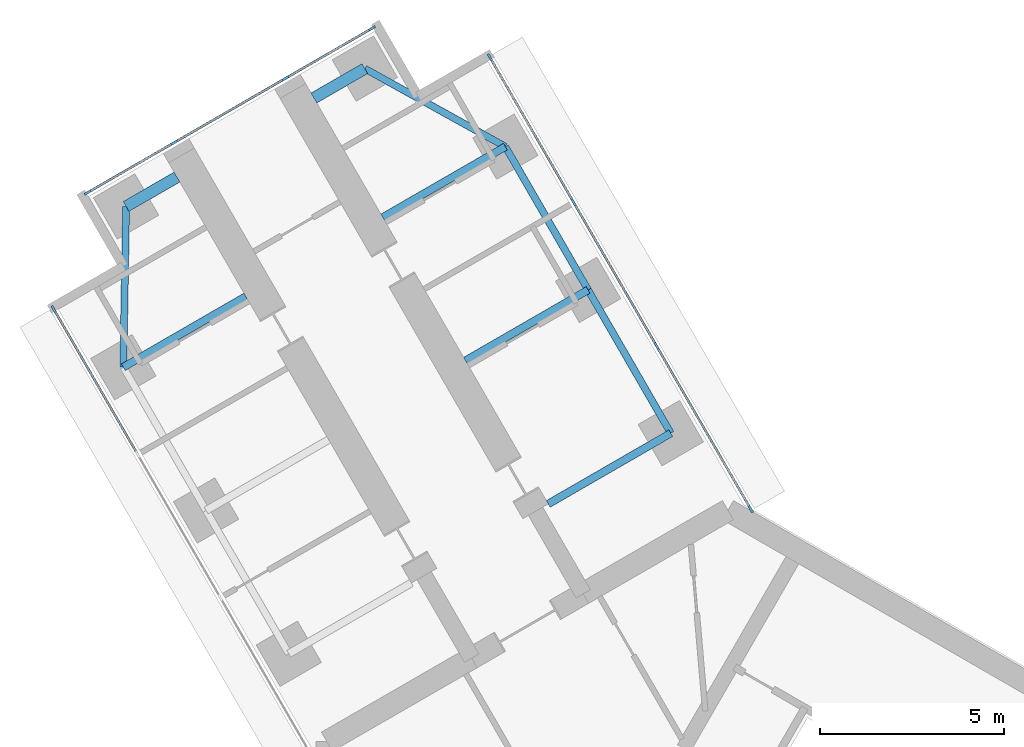
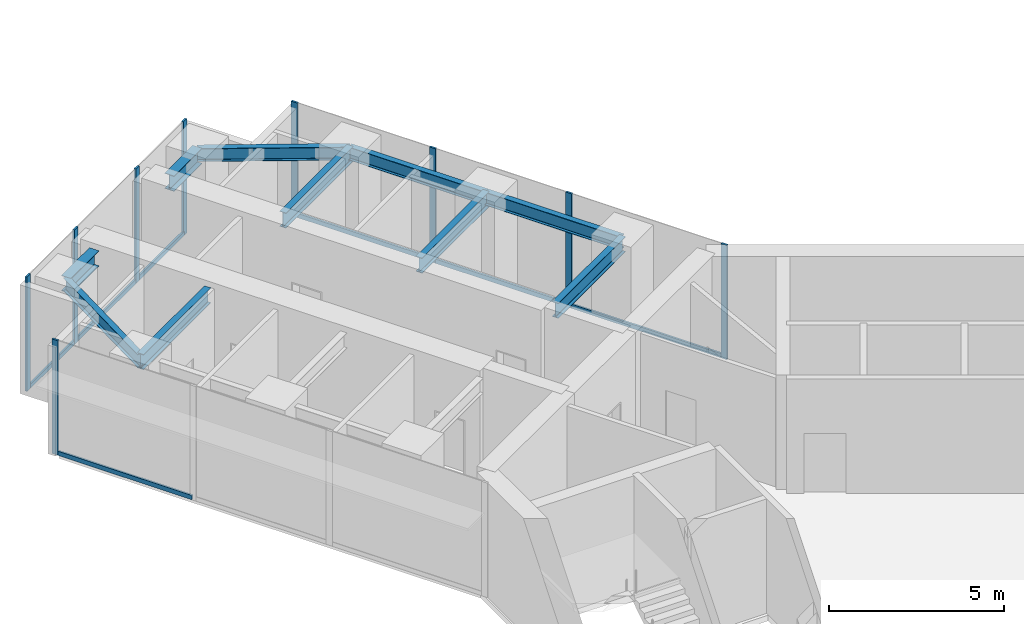
# One storey, part 6 of 22: 16 members, 10 beams, 3 elements without a shape of their own.
"""IFC4 building model written with IfcOpenShell, lengths in metres."""

import ifcopenshell
import ifcopenshell.guid

model = None  # the IFC model being written
_history = None  # IfcOwnerHistory: only IFC2X3 demands one
_inside = {}  # id of a spatial element -> (the spatial element, [elements in it])
_under = {}  # id of a project, library or spatial element -> (it, [spatial elements below it])
_declared = {}  # id of a project -> (the project, [libraries it declares])
_typed = {}  # id of a type object -> (the type object, [elements of that type])
_made_of = {}  # id of a material, layer set ... -> (it, [elements and type objects made of it])


def new_model(schema):
    """Start an empty IFC model of exactly this schema.

    Asked for "IFC4X3", IfcOpenShell would pick the latest addendum, in which some entities
    have other attributes; the version numbers below select the first issue.
    IFC2X3 requires an IfcOwnerHistory on every rooted entity: one is made here for all.
    """
    global model, _history
    if schema == "IFC4X3":
        model = ifcopenshell.file(schema_version=(4, 3, 0, 0))
    else:
        model = ifcopenshell.file(schema=schema)
    _inside.clear()
    _under.clear()
    _declared.clear()
    _typed.clear()
    _made_of.clear()
    _history = None
    if model.schema == "IFC2X3":
        org = make("IfcOrganization", Name="unknown")
        user = make(
            "IfcPersonAndOrganization",
            ThePerson=make("IfcPerson", FamilyName="unknown"),
            TheOrganization=org,
        )
        app = make(
            "IfcApplication",
            ApplicationDeveloper=org,
            Version="unknown",
            ApplicationFullName="unknown",
            ApplicationIdentifier="unknown",
        )
        _history = make(
            "IfcOwnerHistory",
            OwningUser=user,
            OwningApplication=app,
            ChangeAction="ADDED",
            CreationDate=0,
        )
    return model


def make(cls, **values):
    """One entity of the class cls with the attributes given. An attribute that is None is left unset."""
    return model.create_entity(
        cls, **{name: value for name, value in values.items() if value is not None}
    )


def rooted(cls, **values):
    """An entity with a GlobalId (a new one), such as an element, a storey or a relation."""
    return make(cls, GlobalId=ifcopenshell.guid.new(), OwnerHistory=_history, **values)


def si_unit(unit_type, name, prefix=None):
    """IfcSIUnit, for example si_unit("LENGTHUNIT", "METRE", prefix="MILLI")."""
    return make("IfcSIUnit", UnitType=unit_type, Prefix=prefix, Name=name)


def assignment(units):
    """IfcUnitAssignment: the units of a project."""
    return None if units is None else make("IfcUnitAssignment", Units=units)


def point(xyz):
    """IfcCartesianPoint."""
    return None if xyz is None else make("IfcCartesianPoint", Coordinates=xyz)


def direction(xyz):
    """IfcDirection."""
    return None if xyz is None else make("IfcDirection", DirectionRatios=xyz)


def frame(location, z_axis=None, x_axis=None):
    """IfcAxis2Placement3D, a coordinate frame: its origin and axes. An axis left out is left unset."""
    return make(
        "IfcAxis2Placement3D",
        Location=point(location),
        Axis=direction(z_axis),
        RefDirection=direction(x_axis),
    )


def frame_2d(location, x_axis=None):
    """IfcAxis2Placement2D, a coordinate frame in the plane: its origin and x axis."""
    return make(
        "IfcAxis2Placement2D", Location=point(location), RefDirection=direction(x_axis)
    )


def origin():
    """The frame at (0, 0, 0) with its axes left unset."""
    return frame((0.0, 0.0, 0.0))


def origin_2d():
    """The frame at (0, 0) in the plane with its x axis left unset."""
    return frame_2d((0.0, 0.0))


def place(relative_to, where):
    """IfcLocalPlacement: puts the frame where relative to a parent placement (None: the world)."""
    return make(
        "IfcLocalPlacement", PlacementRelTo=relative_to, RelativePlacement=where
    )


def context(
    kind, dimensions, precision=None, world=None, true_north=None, identifier=None
):
    """IfcGeometricRepresentationContext, for example the 3D "Model" context."""
    return make(
        "IfcGeometricRepresentationContext",
        ContextIdentifier=identifier,
        ContextType=kind,
        CoordinateSpaceDimension=dimensions,
        Precision=precision,
        WorldCoordinateSystem=world,
        TrueNorth=true_north,
    )


def subcontext(parent, identifier, kind, view, scale=None):
    """IfcGeometricRepresentationSubContext, for example "Body" below "Model"."""
    return make(
        "IfcGeometricRepresentationSubContext",
        ContextIdentifier=identifier,
        ContextType=kind,
        ParentContext=parent,
        TargetScale=scale,
        TargetView=view,
    )


def project(units=None, contexts=None):
    """IfcProject with its units and contexts."""
    return rooted(
        "IfcProject",
        Name="project",
        RepresentationContexts=contexts,
        UnitsInContext=assignment(units),
    )


def spatial(cls, under=None, at=None, **own):
    """A site, building, storey or space (cls), placed at a placement, below another one or the project."""
    s = rooted(cls, ObjectPlacement=at, **own)
    if under is not None:
        _under.setdefault(under.id(), (under, []))[1].append(s)
    return s


def profile(cls, at=None, kind="AREA", **sizes):
    """A parametric profile (cls). Its sizes go by their IFC names, for example OverallWidth=200.0."""
    return make(cls, ProfileType=kind, Position=at, **sizes)


def rectangle(**sizes):
    """IfcRectangleProfileDef."""
    return profile("IfcRectangleProfileDef", **sizes)


def i_section(**sizes):
    """IfcIShapeProfileDef."""
    return profile("IfcIShapeProfileDef", **sizes)


def extrude(swept, where, along, depth):
    """IfcExtrudedAreaSolid: the profile swept, set in the frame where, extruded along a direction by depth."""
    return make(
        "IfcExtrudedAreaSolid",
        SweptArea=swept,
        Position=where,
        ExtrudedDirection=direction(along),
        Depth=depth,
    )


def shape(context_of_items, identifier, shape_type, items):
    """IfcShapeRepresentation: the items that make up one representation, for example the "Body"."""
    return make(
        "IfcShapeRepresentation",
        ContextOfItems=context_of_items,
        RepresentationIdentifier=identifier,
        RepresentationType=shape_type,
        Items=items,
    )


def material(Name=None, Category=None):
    """IfcMaterial."""
    return make("IfcMaterial", Name=Name, Category=Category)


def material_profile(
    of_material, cross_section, Name=None, Category=None, Priority=None
):
    """IfcMaterialProfile: a cross section and its material."""
    return make(
        "IfcMaterialProfile",
        Name=Name,
        Material=of_material,
        Profile=cross_section,
        Priority=Priority,
        Category=Category,
    )


def profile_set(profiles, Name=None, composite=None):
    """IfcMaterialProfileSet."""
    return make(
        "IfcMaterialProfileSet",
        Name=Name,
        MaterialProfiles=profiles,
        CompositeProfile=composite,
    )


def made_of(thing, what):
    """Note that an element or type object is made of a material, layer set ...; save() writes the relation."""
    if what is not None:
        _made_of.setdefault(what.id(), (what, []))[1].append(thing)
    return thing


def type_object(cls, material=None, **own):
    """A type object (cls), such as IfcWallType, which elements share."""
    return made_of(rooted(cls, **own), material)


def element(
    cls,
    number,
    at=None,
    inside=None,
    cuts=None,
    type_object=None,
    material=None,
    context=None,
    identifier="Body",
    shape_type=None,
    held_by="IfcProductDefinitionShape",
    body=None,
    shapes=None,
    **own,
):
    """One element of the class cls, such as IfcWall. Its Tag is "e" and its number.

    at: its placement. inside: the storey or other place that contains it. cuts: it is an
    opening in that element (IfcRelVoidsElement). A single representation is given by context,
    identifier, shape_type and body (its items); several are given by shapes. held_by: the class
    of the entity that holds the representations. save() writes the other relations.
    """
    e = rooted(cls, Tag="e%d" % number, ObjectPlacement=at, **own)
    if body is not None:
        shapes = [shape(context, identifier, shape_type, body)]
    if shapes is not None:
        e.Representation = make(held_by, Representations=shapes)
    if inside is not None:
        _inside.setdefault(inside.id(), (inside, []))[1].append(e)
    if cuts is not None:
        rooted(
            "IfcRelVoidsElement", RelatingBuildingElement=cuts, RelatedOpeningElement=e
        )
    if type_object is not None:
        _typed.setdefault(type_object.id(), (type_object, []))[1].append(e)
    return made_of(e, material)


def aggregate(whole, parts):
    """IfcRelAggregates: a whole, such as a stair, and the parts it consists of."""
    return rooted("IfcRelAggregates", RelatingObject=whole, RelatedObjects=parts)


def save(model, path):
    """Write the relations noted so far, then the file.

    IfcRelAggregates (storeys below a building ...), IfcRelContainedInSpatialStructure (elements
    in a storey), IfcRelDefinesByType, IfcRelAssociatesMaterial and IfcRelDeclares: one each for
    every whole, place, type object, material and project.
    """
    for whole, parts in _under.values():
        aggregate(whole, parts)
    for where, things in _inside.values():
        rooted(
            "IfcRelContainedInSpatialStructure",
            RelatedElements=things,
            RelatingStructure=where,
        )
    for kind, things in _typed.values():
        rooted("IfcRelDefinesByType", RelatedObjects=things, RelatingType=kind)
    for what, things in _made_of.values():
        rooted("IfcRelAssociatesMaterial", RelatedObjects=things, RelatingMaterial=what)
    for by, libraries in _declared.values():
        rooted("IfcRelDeclares", RelatingContext=by, RelatedDefinitions=libraries)
    model.write(path)


model = new_model("IFC4")

# Units and contexts
model_context = context("Model", 3, precision=1e-05, world=origin(), true_north=direction((0.0, 1.0)))
body_context = subcontext(model_context, "Body", "Model", "MODEL_VIEW")
ifc_project = project(units=[si_unit("LENGTHUNIT", "METRE"), si_unit("AREAUNIT", "SQUARE_METRE"), si_unit("VOLUMEUNIT", "CUBIC_METRE"), si_unit("PLANEANGLEUNIT", "RADIAN"), si_unit("MASSUNIT", "GRAM", prefix="KILO")], contexts=[model_context])

# Site, building, storey
site_placement = place(None, origin())
site = spatial("IfcSite", under=ifc_project, at=site_placement, CompositionType="ELEMENT")
building_placement = place(site_placement, origin())
building = spatial("IfcBuilding", under=site, at=building_placement, Name="Upepo Twin Towers", CompositionType="ELEMENT")
storey_placement = place(building_placement, frame((0.0, 0.0, 133.5)))
storey = spatial("IfcBuildingStorey", under=building, at=storey_placement, Name="L32", CompositionType="ELEMENT", Elevation=133.5)

# Beams
ifc_material_1 = material(Name="Steel S355", Category="steel")
ifc_material_profile_1 = material_profile(ifc_material_1, i_section(OverallWidth=0.1904296875, OverallDepth=0.45703125, WebThickness=0.009033203125, FlangeThickness=0.014404296875, FilletRadius=0.01025390625, at=origin_2d()), Name="UB 457x191x74")
ifc_profile_set_1 = profile_set([ifc_material_profile_1], Name="Steel S355")
beam_type_1 = type_object("IfcBeamType", Name="Beam UB 457x191x74", PredefinedType="BEAM", material=ifc_profile_set_1)
beam_1_placement = place(storey_placement, frame((-16.446044921875, 16.485595703125, 3.571533203125), z_axis=(0.016803880528, 0.999858804832, 0.0), x_axis=(-0.999858804832, 0.016803880528, 0.0)))
element("IfcBeam", 1, at=beam_1_placement, inside=storey, type_object=beam_type_1, Name="T1 nose edge beam BL", PredefinedType="BEAM", context=body_context, shape_type="SweptSolid", body=[
    extrude(i_section(OverallWidth=0.1904296875, OverallDepth=0.45703125, WebThickness=0.009033203125, FlangeThickness=0.014404296875, FilletRadius=0.01025390625, at=origin_2d()), origin(), (0.0, 0.0, 1.0), 4.373291015625),
])
beam_2_placement = place(storey_placement, frame((-1.553955078125, 14.69140625, 3.571533203125), z_axis=(-0.500013631625, 0.866017533419, 0.0), x_axis=(-0.866017533419, -0.500013631625, 0.0)))
element("IfcBeam", 2, at=beam_2_placement, inside=storey, type_object=beam_type_1, Name="T1 edge beam BR 13.5-18.0", PredefinedType="BEAM", context=body_context, shape_type="SweptSolid", body=[
    extrude(i_section(OverallWidth=0.1904296875, OverallDepth=0.45703125, WebThickness=0.009033203125, FlangeThickness=0.014404296875, FilletRadius=0.01025390625, at=origin_2d()), origin(), (0.0, 0.0, 1.0), 4.499755859375),
])
beam_3_placement = place(storey_placement, frame((-3.803955078125, 18.58837890625, 3.571533203125), z_axis=(-0.499990139034, 0.866031096941, 0.0), x_axis=(-0.866031096941, -0.499990139034, 0.0)))
element("IfcBeam", 3, at=beam_3_placement, inside=storey, type_object=beam_type_1, Name="T1 edge beam BR 18.0-22.5", PredefinedType="BEAM", context=body_context, shape_type="SweptSolid", body=[
    extrude(i_section(OverallWidth=0.1904296875, OverallDepth=0.45703125, WebThickness=0.009033203125, FlangeThickness=0.014404296875, FilletRadius=0.01025390625, at=origin_2d()), origin(), (0.0, 0.0, 1.0), 4.5),
])
beam_4_placement = place(storey_placement, frame((-6.053955078125, 22.485595703125, 3.571533203125), z_axis=(-0.874312600038, 0.485363242752, 0.0), x_axis=(-0.485363242752, -0.874312600038, 0.0)))
element("IfcBeam", 4, at=beam_4_placement, inside=storey, type_object=beam_type_1, Name="T1 nose edge beam BR", PredefinedType="BEAM", context=body_context, shape_type="SweptSolid", body=[
    extrude(i_section(OverallWidth=0.1904296875, OverallDepth=0.45703125, WebThickness=0.009033203125, FlangeThickness=0.014404296875, FilletRadius=0.01025390625, at=origin_2d()), origin(), (0.0, 0.0, 1.0), 4.373046875),
])
ifc_material_2 = material(Name="Steel S355", Category="steel")
ifc_material_profile_2 = material_profile(ifc_material_2, i_section(OverallWidth=0.209228515625, OverallDepth=0.533203125, WebThickness=0.010009765625, FlangeThickness=0.015625, FilletRadius=0.0126953125, at=origin_2d()), Name="UB 533x210x92")
ifc_profile_set_2 = profile_set([ifc_material_profile_2], Name="Steel S355")
beam_type_2 = type_object("IfcBeamType", Name="Beam UB 533x210x92", PredefinedType="BEAM", material=ifc_profile_set_2)
for number, where, z_axis, x_axis, name in (
    (5, (-16.446044921875, 16.485595703125, 3.533447265625), (0.866006051527, 0.500033517596, 0.0), (-0.500033517596, 0.866006051527, 0.0), "T1 girder BL at 22.5"),
    (6, (-1.553955078125, 14.69140625, 3.533447265625), (-0.866006051527, -0.500033517596, 0.0), (0.500033517596, -0.866006051527, 0.0), "T1 girder BR at 13.5"),
):
    element("IfcBeam", number, at=place(storey_placement, frame(where, z_axis=z_axis, x_axis=x_axis)), inside=storey, type_object=beam_type_2, Name=name, PredefinedType="BEAM", context=body_context, shape_type="SweptSolid", body=[
        extrude(i_section(OverallWidth=0.209228515625, OverallDepth=0.533203125, WebThickness=0.010009765625, FlangeThickness=0.015625, FilletRadius=0.0126953125, at=origin_2d()), origin(), (0.0, 0.0, 1.0), 3.849853515625),
    ])
beam_5_placement = place(storey_placement, frame((-3.803955078125, 18.58837890625, 3.533447265625), z_axis=(-0.866033512162, -0.499985955615, 0.0), x_axis=(0.499985955615, -0.866033512162, 0.0)))
element("IfcBeam", 7, at=beam_5_placement, inside=storey, type_object=beam_type_2, Name="T1 girder BR at 18.0", PredefinedType="BEAM", context=body_context, shape_type="SweptSolid", body=[
    extrude(i_section(OverallWidth=0.209228515625, OverallDepth=0.533203125, WebThickness=0.010009765625, FlangeThickness=0.015625, FilletRadius=0.0126953125, at=origin_2d()), origin(), (0.0, 0.0, 1.0), 3.849609375),
])
beam_6_placement = place(storey_placement, frame((-6.053955078125, 22.485595703125, 3.533447265625), z_axis=(-0.866006051527, -0.500033517596, 0.0), x_axis=(0.500033517596, -0.866006051527, 0.0)))
element("IfcBeam", 8, at=beam_6_placement, inside=storey, type_object=beam_type_2, Name="T1 girder BR at 22.5", PredefinedType="BEAM", context=body_context, shape_type="SweptSolid", body=[
    extrude(i_section(OverallWidth=0.209228515625, OverallDepth=0.533203125, WebThickness=0.010009765625, FlangeThickness=0.015625, FilletRadius=0.0126953125, at=origin_2d()), origin(), (0.0, 0.0, 1.0), 3.849853515625),
])
ifc_material_3 = material(Name="Steel S355", Category="steel")
ifc_material_profile_3 = material_profile(ifc_material_3, i_section(OverallWidth=0.31201171875, OverallDepth=0.54345703125, WebThickness=0.0126953125, FlangeThickness=0.020263671875, FilletRadius=0.0126953125, at=origin_2d()), Name="UB 533x312x150")
ifc_profile_set_3 = profile_set([ifc_material_profile_3], Name="Steel S355")
beam_type_3 = type_object("IfcBeamType", Name="Beam UB 533x312x150", PredefinedType="BEAM", material=ifc_profile_set_3)
for number, where, z_axis, x_axis, name in (
    (9, (-16.37255859375, 20.858154296875, 3.5283203125), (0.865989903783, 0.500061482766, 0.0), (-0.500061482766, 0.865989903783, 0.0), "T1 nose beam BL"),
    (10, (-9.87744140625, 24.608154296875, 3.5283203125), (-0.865989903783, -0.500061482766, 0.0), (0.500061482766, -0.865989903783, 0.0), "T1 nose beam BR"),
):
    element("IfcBeam", number, at=place(storey_placement, frame(where, z_axis=z_axis, x_axis=x_axis)), inside=storey, type_object=beam_type_3, Name=name, PredefinedType="BEAM", context=body_context, shape_type="SweptSolid", body=[
        extrude(i_section(OverallWidth=0.31201171875, OverallDepth=0.54345703125, WebThickness=0.0126953125, FlangeThickness=0.020263671875, FilletRadius=0.0126953125, at=origin_2d()), origin(), (0.0, 0.0, 1.0), 1.599853515625),
    ])

# Curtain wall, member
ifc_material_4 = material(Name="Aluminium and fritted glass", Category="aluminium")
curtain_wall_type = type_object("IfcCurtainWallType", Name="Tower curtain wall TW2, fritted glass", PredefinedType="NOTDEFINED", material=ifc_material_4)
curtain_wall_1_placement = place(storey_placement, origin())
curtain_wall_1 = element("IfcCurtainWall", 11, at=curtain_wall_1_placement, inside=storey, type_object=curtain_wall_type, Name="T1 L32 wing B flank L curtain wall", PredefinedType="NOTDEFINED")
ifc_material_5 = material(Name="Aluminium mullion", Category="aluminium")
ifc_material_profile_4 = material_profile(ifc_material_5, rectangle(XDim=0.06494140625, YDim=0.199951171875, at=origin_2d()), Name="MULLION 65x200")
ifc_profile_set_4 = profile_set([ifc_material_profile_4], Name="Aluminium mullion")
member_type_1 = type_object("IfcMemberType", Name="Mullion 65x200 TW2", PredefinedType="MULLION", material=ifc_profile_set_4)
member_1_placement = place(storey_placement, frame((-18.341064453125, 18.067626953125, 0.0), z_axis=(0.0, 0.0, 1.0), x_axis=(-0.866025397833, -0.500000010308, 0.0)))
member_1 = element("IfcMember", 12, at=member_1_placement, type_object=member_type_1, Name="T1 L32 wing B flank L curtain wall mullion 4", PredefinedType="MULLION", context=body_context, shape_type="SweptSolid", body=[
    extrude(rectangle(XDim=0.06494140625, YDim=0.199951171875, at=origin_2d()), origin(), (0.0, 0.0, 1.0), 4.0),
])

# Curtain wall, members
curtain_wall_2_placement = place(storey_placement, origin())
curtain_wall_2 = element("IfcCurtainWall", 13, at=curtain_wall_2_placement, inside=storey, type_object=curtain_wall_type, Name="T1 L32 wing B flank R curtain wall", PredefinedType="NOTDEFINED")
member_2_placement = place(storey_placement, frame((-6.4765625, 24.91748046875, 0.0), z_axis=(0.0, 0.0, 1.0), x_axis=(0.866025397833, 0.500000010308, 0.0)))
member_2 = element("IfcMember", 14, at=member_2_placement, type_object=member_type_1, Name="T1 L32 wing B flank R curtain wall mullion 1", PredefinedType="MULLION", context=body_context, shape_type="SweptSolid", body=[
    extrude(rectangle(XDim=0.06494140625, YDim=0.199951171875, at=origin_2d()), origin(), (0.0, 0.0, 1.0), 4.0),
])
member_3_placement = place(storey_placement, frame((-4.192626953125, 20.9619140625, 0.0), z_axis=(0.0, 0.0, 1.0), x_axis=(0.866025397833, 0.500000010308, 0.0)))
member_3 = element("IfcMember", 15, at=member_3_placement, type_object=member_type_1, Name="T1 L32 wing B flank R curtain wall mullion 2", PredefinedType="MULLION", context=body_context, shape_type="SweptSolid", body=[
    extrude(rectangle(XDim=0.06494140625, YDim=0.199951171875, at=origin_2d()), origin(), (0.0, 0.0, 1.0), 4.0),
])
member_4_placement = place(storey_placement, frame((-1.942626953125, 17.06494140625, 0.0), z_axis=(0.0, 0.0, 1.0), x_axis=(0.866025397833, 0.500000010308, 0.0)))
member_4 = element("IfcMember", 16, at=member_4_placement, type_object=member_type_1, Name="T1 L32 wing B flank R curtain wall mullion 3", PredefinedType="MULLION", context=body_context, shape_type="SweptSolid", body=[
    extrude(rectangle(XDim=0.06494140625, YDim=0.199951171875, at=origin_2d()), origin(), (0.0, 0.0, 1.0), 4.0),
])
member_5_placement = place(storey_placement, frame((0.62255859375, 12.621826171875, 0.0), z_axis=(0.0, 0.0, 1.0), x_axis=(0.866025397833, 0.500000010308, 0.0)))
member_5 = element("IfcMember", 17, at=member_5_placement, type_object=member_type_1, Name="T1 L32 wing B flank R curtain wall mullion 4", PredefinedType="MULLION", context=body_context, shape_type="SweptSolid", body=[
    extrude(rectangle(XDim=0.06494140625, YDim=0.199951171875, at=origin_2d()), origin(), (0.0, 0.0, 1.0), 4.0),
])

curtain_wall_3_placement = place(storey_placement, origin())
curtain_wall_3 = element("IfcCurtainWall", 18, at=curtain_wall_3_placement, inside=storey, type_object=curtain_wall_type, Name="T1 L32 wing B nose curtain wall", PredefinedType="NOTDEFINED")
member_6_placement = place(storey_placement, frame((-9.68115234375, 25.703125, 0.0), z_axis=(0.0, 0.0, 1.0), x_axis=(0.500000030502, -0.866025386174, 0.0)))
member_6 = element("IfcMember", 19, at=member_6_placement, type_object=member_type_1, Name="T1 L32 wing B nose curtain wall mullion 1", PredefinedType="MULLION", context=body_context, shape_type="SweptSolid", body=[
    extrude(rectangle(XDim=0.06494140625, YDim=0.199951171875, at=origin_2d()), origin(), (0.0, 0.0, 1.0), 4.0),
])
member_7_placement = place(storey_placement, frame((-12.034423828125, 24.34423828125, 0.0), z_axis=(0.0, 0.0, 1.0), x_axis=(0.500000030502, -0.866025386174, 0.0)))
member_7 = element("IfcMember", 20, at=member_7_placement, type_object=member_type_1, Name="T1 L32 wing B nose curtain wall mullion 2", PredefinedType="MULLION", context=body_context, shape_type="SweptSolid", body=[
    extrude(rectangle(XDim=0.06494140625, YDim=0.199951171875, at=origin_2d()), origin(), (0.0, 0.0, 1.0), 4.0),
])
member_8_placement = place(storey_placement, frame((-15.0654296875, 22.59423828125, 0.0), z_axis=(0.0, 0.0, 1.0), x_axis=(0.500000030502, -0.866025386174, 0.0)))
member_8 = element("IfcMember", 21, at=member_8_placement, type_object=member_type_1, Name="T1 L32 wing B nose curtain wall mullion 3", PredefinedType="MULLION", context=body_context, shape_type="SweptSolid", body=[
    extrude(rectangle(XDim=0.06494140625, YDim=0.199951171875, at=origin_2d()), origin(), (0.0, 0.0, 1.0), 4.0),
])
member_9_placement = place(storey_placement, frame((-17.4189453125, 21.235595703125, 0.0), z_axis=(0.0, 0.0, 1.0), x_axis=(0.500000030502, -0.866025386174, 0.0)))
member_9 = element("IfcMember", 22, at=member_9_placement, type_object=member_type_1, Name="T1 L32 wing B nose curtain wall mullion 4", PredefinedType="MULLION", context=body_context, shape_type="SweptSolid", body=[
    extrude(rectangle(XDim=0.06494140625, YDim=0.199951171875, at=origin_2d()), origin(), (0.0, 0.0, 1.0), 4.0),
])

# Member
ifc_material_6 = material(Name="Aluminium transom", Category="aluminium")
ifc_material_profile_5 = material_profile(ifc_material_6, rectangle(XDim=0.06494140625, YDim=0.14990234375, at=origin_2d()), Name="TRANSOM 65x150")
ifc_profile_set_5 = profile_set([ifc_material_profile_5], Name="Aluminium transom")
member_type_2 = type_object("IfcMemberType", Name="Transom 65x150 TW2", PredefinedType="USERDEFINED", material=ifc_profile_set_5)
member_10_placement = place(storey_placement, frame((-16.073486328125, 14.14013671875, 0.074951171875), z_axis=(-0.499982167615, 0.866035699072, 0.0), x_axis=(-0.866035699072, -0.499982167615, 0.0)))
member_10 = element("IfcMember", 23, at=member_10_placement, type_object=member_type_2, Name="T1 L32 wing B flank L curtain wall transom 3", ObjectType="TRANSOM", PredefinedType="USERDEFINED", context=body_context, shape_type="SweptSolid", body=[
    extrude(rectangle(XDim=0.06494140625, YDim=0.14990234375, at=origin_2d()), origin(), (0.0, 0.0, 1.0), 4.502685546875),
])

aggregate(curtain_wall_1, [member_1, member_10])

member_11_placement = place(storey_placement, frame((-6.460205078125, 24.889404296875, 0.074951171875), z_axis=(0.500005646842, -0.866022143554, 0.0), x_axis=(0.866022143554, 0.500005646842, 0.0)))
member_11 = element("IfcMember", 24, at=member_11_placement, type_object=member_type_2, Name="T1 L32 wing B flank R curtain wall transom 1", ObjectType="TRANSOM", PredefinedType="USERDEFINED", context=body_context, shape_type="SweptSolid", body=[
    extrude(rectangle(XDim=0.06494140625, YDim=0.14990234375, at=origin_2d()), origin(), (0.0, 0.0, 1.0), 4.50244140625),
])

member_12_placement = place(storey_placement, frame((-4.176513671875, 20.933837890625, 0.074951171875), z_axis=(0.500005184116, -0.866022410713, 0.0), x_axis=(0.866022410713, 0.500005184116, 0.0)))
member_12 = element("IfcMember", 25, at=member_12_placement, type_object=member_type_2, Name="T1 L32 wing B flank R curtain wall transom 2", ObjectType="TRANSOM", PredefinedType="USERDEFINED", context=body_context, shape_type="SweptSolid", body=[
    extrude(rectangle(XDim=0.06494140625, YDim=0.14990234375, at=origin_2d()), origin(), (0.0, 0.0, 1.0), 4.43505859375),
])

member_13_placement = place(storey_placement, frame((-1.926513671875, 17.036865234375, 0.074951171875), z_axis=(0.499985288567, -0.866033897268, 0.0), x_axis=(0.866033897268, 0.499985288567, 0.0)))
member_13 = element("IfcMember", 26, at=member_13_placement, type_object=member_type_2, Name="T1 L32 wing B flank R curtain wall transom 3", ObjectType="TRANSOM", PredefinedType="USERDEFINED", context=body_context, shape_type="SweptSolid", body=[
    extrude(rectangle(XDim=0.06494140625, YDim=0.14990234375, at=origin_2d()), origin(), (0.0, 0.0, 1.0), 5.065673828125),
])

aggregate(curtain_wall_2, [member_2, member_3, member_4, member_5, member_11, member_12, member_13])

member_14_placement = place(storey_placement, frame((-9.709228515625, 25.686767578125, 0.074951171875), z_axis=(-0.866036909293, -0.499980071345, 0.0), x_axis=(0.499980071345, -0.866036909293, 0.0)))
member_14 = element("IfcMember", 27, at=member_14_placement, type_object=member_type_2, Name="T1 L32 wing B nose curtain wall transom 1", ObjectType="TRANSOM", PredefinedType="USERDEFINED", context=body_context, shape_type="SweptSolid", body=[
    extrude(rectangle(XDim=0.06494140625, YDim=0.14990234375, at=origin_2d()), origin(), (0.0, 0.0, 1.0), 2.65234375),
])

member_15_placement = place(storey_placement, frame((-12.0625, 24.328125, 0.074951171875), z_axis=(-0.866025804792, -0.499999305434, 0.0), x_axis=(0.499999305434, -0.866025804792, 0.0)))
member_15 = element("IfcMember", 28, at=member_15_placement, type_object=member_type_2, Name="T1 L32 wing B nose curtain wall transom 2", ObjectType="TRANSOM", PredefinedType="USERDEFINED", context=body_context, shape_type="SweptSolid", body=[
    extrude(rectangle(XDim=0.06494140625, YDim=0.14990234375, at=origin_2d()), origin(), (0.0, 0.0, 1.0), 3.43505859375),
])

member_16_placement = place(storey_placement, frame((-15.09375, 22.578125, 0.074951171875), z_axis=(-0.865997053448, -0.500049101008, 0.0), x_axis=(0.500049101008, -0.865997053448, 0.0)))
member_16 = element("IfcMember", 29, at=member_16_placement, type_object=member_type_2, Name="T1 L32 wing B nose curtain wall transom 3", ObjectType="TRANSOM", PredefinedType="USERDEFINED", context=body_context, shape_type="SweptSolid", body=[
    extrude(rectangle(XDim=0.06494140625, YDim=0.14990234375, at=origin_2d()), origin(), (0.0, 0.0, 1.0), 2.652587890625),
])

aggregate(curtain_wall_3, [member_6, member_7, member_8, member_9, member_14, member_15, member_16])

save(model, "model.ifc")
